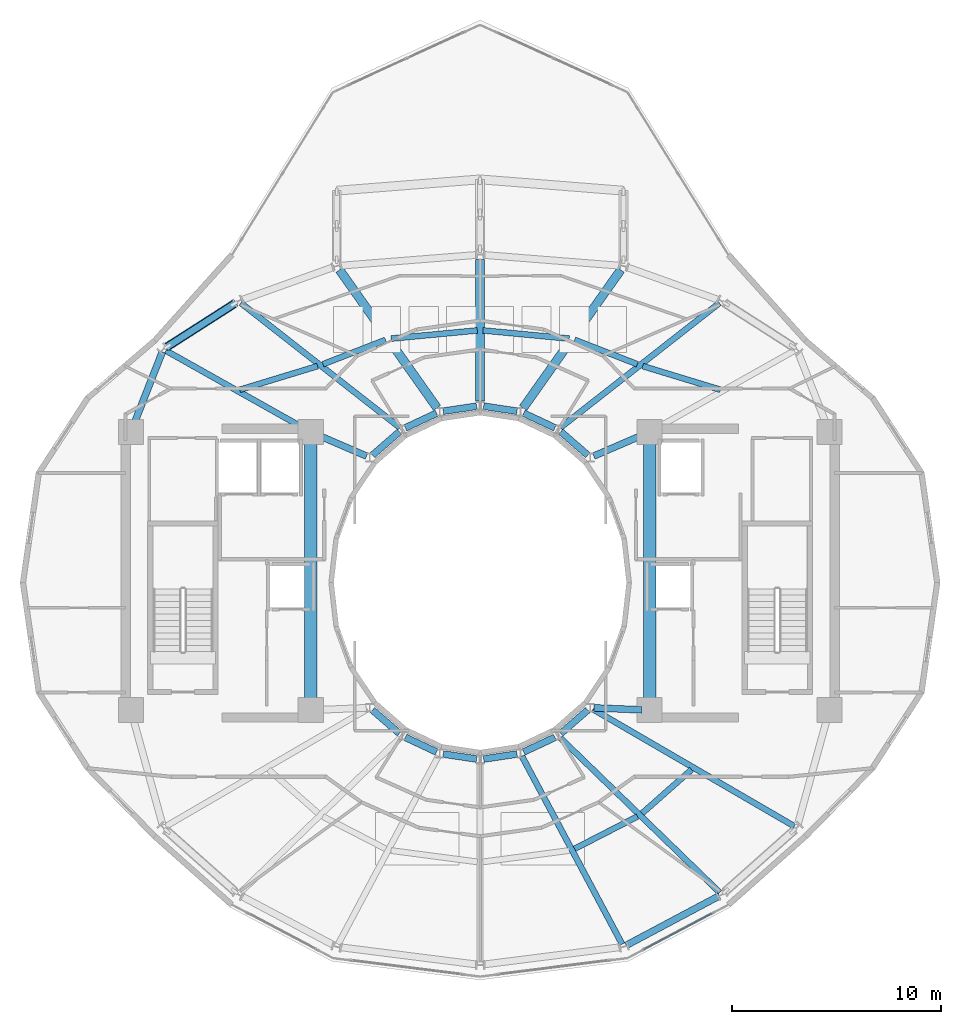
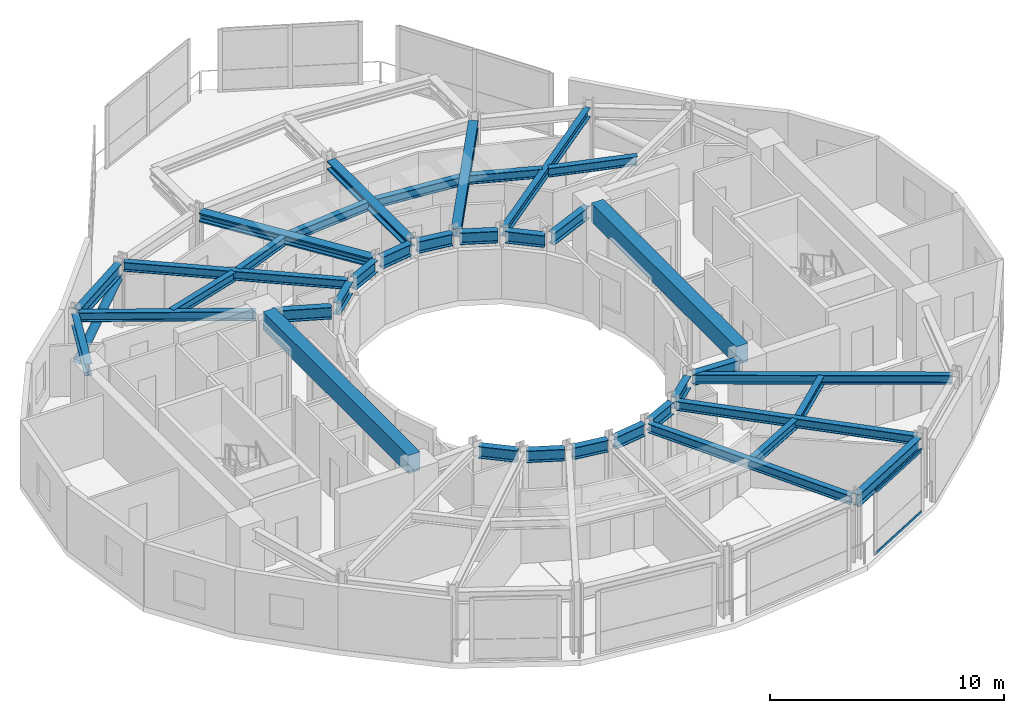
# One storey, part 5 of 19: 37 beams, 3 members, 1 element without a shape of its own.
"""IFC4 building model written with IfcOpenShell, lengths in metres."""

import ifcopenshell
import ifcopenshell.guid

model = None  # the IFC model being written
_history = None  # IfcOwnerHistory: only IFC2X3 demands one
_inside = {}  # id of a spatial element -> (the spatial element, [elements in it])
_under = {}  # id of a project, library or spatial element -> (it, [spatial elements below it])
_declared = {}  # id of a project -> (the project, [libraries it declares])
_typed = {}  # id of a type object -> (the type object, [elements of that type])
_made_of = {}  # id of a material, layer set ... -> (it, [elements and type objects made of it])


def new_model(schema):
    """Start an empty IFC model of exactly this schema.

    Asked for "IFC4X3", IfcOpenShell would pick the latest addendum, in which some entities
    have other attributes; the version numbers below select the first issue.
    IFC2X3 requires an IfcOwnerHistory on every rooted entity: one is made here for all.
    """
    global model, _history
    if schema == "IFC4X3":
        model = ifcopenshell.file(schema_version=(4, 3, 0, 0))
    else:
        model = ifcopenshell.file(schema=schema)
    _inside.clear()
    _under.clear()
    _declared.clear()
    _typed.clear()
    _made_of.clear()
    _history = None
    if model.schema == "IFC2X3":
        org = make("IfcOrganization", Name="unknown")
        user = make(
            "IfcPersonAndOrganization",
            ThePerson=make("IfcPerson", FamilyName="unknown"),
            TheOrganization=org,
        )
        app = make(
            "IfcApplication",
            ApplicationDeveloper=org,
            Version="unknown",
            ApplicationFullName="unknown",
            ApplicationIdentifier="unknown",
        )
        _history = make(
            "IfcOwnerHistory",
            OwningUser=user,
            OwningApplication=app,
            ChangeAction="ADDED",
            CreationDate=0,
        )
    return model


def make(cls, **values):
    """One entity of the class cls with the attributes given. An attribute that is None is left unset."""
    return model.create_entity(
        cls, **{name: value for name, value in values.items() if value is not None}
    )


def rooted(cls, **values):
    """An entity with a GlobalId (a new one), such as an element, a storey or a relation."""
    return make(cls, GlobalId=ifcopenshell.guid.new(), OwnerHistory=_history, **values)


def si_unit(unit_type, name, prefix=None):
    """IfcSIUnit, for example si_unit("LENGTHUNIT", "METRE", prefix="MILLI")."""
    return make("IfcSIUnit", UnitType=unit_type, Prefix=prefix, Name=name)


def assignment(units):
    """IfcUnitAssignment: the units of a project."""
    return None if units is None else make("IfcUnitAssignment", Units=units)


def point(xyz):
    """IfcCartesianPoint."""
    return None if xyz is None else make("IfcCartesianPoint", Coordinates=xyz)


def direction(xyz):
    """IfcDirection."""
    return None if xyz is None else make("IfcDirection", DirectionRatios=xyz)


def frame(location, z_axis=None, x_axis=None):
    """IfcAxis2Placement3D, a coordinate frame: its origin and axes. An axis left out is left unset."""
    return make(
        "IfcAxis2Placement3D",
        Location=point(location),
        Axis=direction(z_axis),
        RefDirection=direction(x_axis),
    )


def frame_2d(location, x_axis=None):
    """IfcAxis2Placement2D, a coordinate frame in the plane: its origin and x axis."""
    return make(
        "IfcAxis2Placement2D", Location=point(location), RefDirection=direction(x_axis)
    )


def origin():
    """The frame at (0, 0, 0) with its axes left unset."""
    return frame((0.0, 0.0, 0.0))


def origin_2d():
    """The frame at (0, 0) in the plane with its x axis left unset."""
    return frame_2d((0.0, 0.0))


def place(relative_to, where):
    """IfcLocalPlacement: puts the frame where relative to a parent placement (None: the world)."""
    return make(
        "IfcLocalPlacement", PlacementRelTo=relative_to, RelativePlacement=where
    )


def context(
    kind, dimensions, precision=None, world=None, true_north=None, identifier=None
):
    """IfcGeometricRepresentationContext, for example the 3D "Model" context."""
    return make(
        "IfcGeometricRepresentationContext",
        ContextIdentifier=identifier,
        ContextType=kind,
        CoordinateSpaceDimension=dimensions,
        Precision=precision,
        WorldCoordinateSystem=world,
        TrueNorth=true_north,
    )


def subcontext(parent, identifier, kind, view, scale=None):
    """IfcGeometricRepresentationSubContext, for example "Body" below "Model"."""
    return make(
        "IfcGeometricRepresentationSubContext",
        ContextIdentifier=identifier,
        ContextType=kind,
        ParentContext=parent,
        TargetScale=scale,
        TargetView=view,
    )


def project(units=None, contexts=None):
    """IfcProject with its units and contexts."""
    return rooted(
        "IfcProject",
        Name="project",
        RepresentationContexts=contexts,
        UnitsInContext=assignment(units),
    )


def spatial(cls, under=None, at=None, **own):
    """A site, building, storey or space (cls), placed at a placement, below another one or the project."""
    s = rooted(cls, ObjectPlacement=at, **own)
    if under is not None:
        _under.setdefault(under.id(), (under, []))[1].append(s)
    return s


def profile(cls, at=None, kind="AREA", **sizes):
    """A parametric profile (cls). Its sizes go by their IFC names, for example OverallWidth=200.0."""
    return make(cls, ProfileType=kind, Position=at, **sizes)


def rectangle(**sizes):
    """IfcRectangleProfileDef."""
    return profile("IfcRectangleProfileDef", **sizes)


def hollow_rectangle(**sizes):
    """IfcRectangleHollowProfileDef."""
    return profile("IfcRectangleHollowProfileDef", **sizes)


def hollow_circle(**sizes):
    """IfcCircleHollowProfileDef."""
    return profile("IfcCircleHollowProfileDef", **sizes)


def i_section(**sizes):
    """IfcIShapeProfileDef."""
    return profile("IfcIShapeProfileDef", **sizes)


def extrude(swept, where, along, depth):
    """IfcExtrudedAreaSolid: the profile swept, set in the frame where, extruded along a direction by depth."""
    return make(
        "IfcExtrudedAreaSolid",
        SweptArea=swept,
        Position=where,
        ExtrudedDirection=direction(along),
        Depth=depth,
    )


def shape(context_of_items, identifier, shape_type, items):
    """IfcShapeRepresentation: the items that make up one representation, for example the "Body"."""
    return make(
        "IfcShapeRepresentation",
        ContextOfItems=context_of_items,
        RepresentationIdentifier=identifier,
        RepresentationType=shape_type,
        Items=items,
    )


def material(Name=None, Category=None):
    """IfcMaterial."""
    return make("IfcMaterial", Name=Name, Category=Category)


def layer(
    of_material, thickness, ventilated=None, Name=None, Category=None, Priority=None
):
    """IfcMaterialLayer: one layer of a wall or slab, of a material (None: an air gap)."""
    return make(
        "IfcMaterialLayer",
        Material=of_material,
        LayerThickness=thickness,
        IsVentilated=ventilated,
        Name=Name,
        Category=Category,
        Priority=Priority,
    )


def layer_set(layers, Name=None):
    """IfcMaterialLayerSet."""
    return make("IfcMaterialLayerSet", MaterialLayers=layers, LayerSetName=Name)


def material_profile(
    of_material, cross_section, Name=None, Category=None, Priority=None
):
    """IfcMaterialProfile: a cross section and its material."""
    return make(
        "IfcMaterialProfile",
        Name=Name,
        Material=of_material,
        Profile=cross_section,
        Priority=Priority,
        Category=Category,
    )


def profile_set(profiles, Name=None, composite=None):
    """IfcMaterialProfileSet."""
    return make(
        "IfcMaterialProfileSet",
        Name=Name,
        MaterialProfiles=profiles,
        CompositeProfile=composite,
    )


def made_of(thing, what):
    """Note that an element or type object is made of a material, layer set ...; save() writes the relation."""
    if what is not None:
        _made_of.setdefault(what.id(), (what, []))[1].append(thing)
    return thing


def type_object(cls, material=None, **own):
    """A type object (cls), such as IfcWallType, which elements share."""
    return made_of(rooted(cls, **own), material)


def element(
    cls,
    number,
    at=None,
    inside=None,
    cuts=None,
    type_object=None,
    material=None,
    context=None,
    identifier="Body",
    shape_type=None,
    held_by="IfcProductDefinitionShape",
    body=None,
    shapes=None,
    **own,
):
    """One element of the class cls, such as IfcWall. Its Tag is "e" and its number.

    at: its placement. inside: the storey or other place that contains it. cuts: it is an
    opening in that element (IfcRelVoidsElement). A single representation is given by context,
    identifier, shape_type and body (its items); several are given by shapes. held_by: the class
    of the entity that holds the representations. save() writes the other relations.
    """
    e = rooted(cls, Tag="e%d" % number, ObjectPlacement=at, **own)
    if body is not None:
        shapes = [shape(context, identifier, shape_type, body)]
    if shapes is not None:
        e.Representation = make(held_by, Representations=shapes)
    if inside is not None:
        _inside.setdefault(inside.id(), (inside, []))[1].append(e)
    if cuts is not None:
        rooted(
            "IfcRelVoidsElement", RelatingBuildingElement=cuts, RelatedOpeningElement=e
        )
    if type_object is not None:
        _typed.setdefault(type_object.id(), (type_object, []))[1].append(e)
    return made_of(e, material)


def aggregate(whole, parts):
    """IfcRelAggregates: a whole, such as a stair, and the parts it consists of."""
    return rooted("IfcRelAggregates", RelatingObject=whole, RelatedObjects=parts)


def save(model, path):
    """Write the relations noted so far, then the file.

    IfcRelAggregates (storeys below a building ...), IfcRelContainedInSpatialStructure (elements
    in a storey), IfcRelDefinesByType, IfcRelAssociatesMaterial and IfcRelDeclares: one each for
    every whole, place, type object, material and project.
    """
    for whole, parts in _under.values():
        aggregate(whole, parts)
    for where, things in _inside.values():
        rooted(
            "IfcRelContainedInSpatialStructure",
            RelatedElements=things,
            RelatingStructure=where,
        )
    for kind, things in _typed.values():
        rooted("IfcRelDefinesByType", RelatedObjects=things, RelatingType=kind)
    for what, things in _made_of.values():
        rooted("IfcRelAssociatesMaterial", RelatedObjects=things, RelatingMaterial=what)
    for by, libraries in _declared.values():
        rooted("IfcRelDeclares", RelatingContext=by, RelatedDefinitions=libraries)
    model.write(path)


model = new_model("IFC4")

# Units and contexts
model_context = context("Model", 3, precision=1e-05, world=origin(), true_north=direction((0.0, 1.0)))
body_context = subcontext(model_context, "Body", "Model", "MODEL_VIEW")
ifc_project = project(units=[si_unit("LENGTHUNIT", "METRE"), si_unit("AREAUNIT", "SQUARE_METRE"), si_unit("VOLUMEUNIT", "CUBIC_METRE"), si_unit("PLANEANGLEUNIT", "RADIAN"), si_unit("MASSUNIT", "GRAM", prefix="KILO")], contexts=[model_context])

# Site, building, storey
site_placement = place(None, origin())
site = spatial("IfcSite", under=ifc_project, at=site_placement, CompositionType="ELEMENT")
building_placement = place(site_placement, origin())
building = spatial("IfcBuilding", under=site, at=building_placement, Name="Solvane Sanctuary Tower", CompositionType="ELEMENT")
storey_placement = place(building_placement, frame((0.0, 0.0, 242.39990234375)))
storey = spatial("IfcBuildingStorey", under=building, at=storey_placement, Name="L74", CompositionType="ELEMENT", Elevation=242.39990234375)

# Beams
ifc_material_1 = material(Name="Steel ASTM A913 Grade 65", Category="steel")
ifc_material_profile_1 = material_profile(ifc_material_1, i_section(OverallWidth=0.422119140625, OverallDepth=0.465087890625, WebThickness=0.044921875, FlangeThickness=0.072509765625, FilletRadius=0.02490234375, at=origin_2d()), Name="W14X398")
ifc_profile_set_1 = profile_set([ifc_material_profile_1], Name="Steel ASTM A913 Grade 65")
beam_type_1 = type_object("IfcBeamType", Name="Beam B-CANT-CH W14X398", PredefinedType="BEAM", material=ifc_profile_set_1)
beam_1_placement = place(storey_placement, frame((29.942138671875, 31.351318359375, 3.085693359375), z_axis=(-0.577262901024, 0.816558352539, 0.0), x_axis=(-0.816558352539, -0.577262901024, 0.0)))
element("IfcBeam", 1, at=beam_1_placement, inside=storey, type_object=beam_type_1, Name="L74 Sky-Dining Truss Backspan Chord C05", PredefinedType="BEAM", context=body_context, shape_type="SweptSolid", body=[
    extrude(i_section(OverallWidth=0.422119140625, OverallDepth=0.465087890625, WebThickness=0.044921875, FlangeThickness=0.072509765625, FilletRadius=0.02490234375, at=origin_2d()), origin(), (0.0, 0.0, 1.0), 8.08349609375),
])
beam_2_placement = place(storey_placement, frame((32.0, 31.679931640625, 3.085693359375), z_axis=(0.0, 1.0, 0.0), x_axis=(-1.0, 0.0, 0.0)))
element("IfcBeam", 2, at=beam_2_placement, inside=storey, type_object=beam_type_1, Name="L74 Sky-Dining Truss Backspan Chord C04", PredefinedType="BEAM", context=body_context, shape_type="SweptSolid", body=[
    extrude(i_section(OverallWidth=0.422119140625, OverallDepth=0.465087890625, WebThickness=0.044921875, FlangeThickness=0.072509765625, FilletRadius=0.02490234375, at=origin_2d()), origin(), (0.0, 0.0, 1.0), 6.779052734375),
])
beam_3_placement = place(storey_placement, frame((34.057861328125, 31.351318359375, 3.085693359375), z_axis=(0.577262901024, 0.816558352539, 0.0), x_axis=(-0.816558352539, 0.577262901024, 0.0)))
element("IfcBeam", 3, at=beam_3_placement, inside=storey, type_object=beam_type_1, Name="L74 Sky-Dining Truss Backspan Chord C03", PredefinedType="BEAM", context=body_context, shape_type="SweptSolid", body=[
    extrude(i_section(OverallWidth=0.422119140625, OverallDepth=0.465087890625, WebThickness=0.044921875, FlangeThickness=0.072509765625, FilletRadius=0.02490234375, at=origin_2d()), origin(), (0.0, 0.0, 1.0), 8.08349609375),
])
ifc_material_2 = material(Name="Concrete C70/85", Category="concrete")
ifc_material_profile_2 = material_profile(ifc_material_2, rectangle(XDim=0.60009765625, YDim=0.949951171875, at=origin_2d()), Name="RC600X950")
ifc_profile_set_2 = profile_set([ifc_material_profile_2], Name="Concrete C70/85")
beam_type_2 = type_object("IfcBeamType", Name="Beam B-COUPLE RC600X950", PredefinedType="LINTEL", material=ifc_profile_set_2)
for number, where, z_axis, x_axis, name in (
    (4, (23.89990234375, 17.35009765625, 3.125), (0.0, 1.0, 0.0), (-1.0, 0.0, 0.0), "L74 West Core Coupling Lintel"),
    (5, (40.10009765625, 17.35009765625, 3.125), (0.0, 1.0, 0.0), (-1.0, 0.0, 0.0), "L74 East Core Coupling Lintel"),
):
    element("IfcBeam", number, at=place(storey_placement, frame(where, z_axis=z_axis, x_axis=x_axis)), inside=storey, type_object=beam_type_2, Name=name, PredefinedType="LINTEL", context=body_context, shape_type="SweptSolid", body=[
        extrude(rectangle(XDim=0.60009765625, YDim=0.949951171875, at=origin_2d()), origin(), (0.0, 0.0, 1.0), 12.39990234375),
    ])
ifc_material_3 = material(Name="Steel ASTM A992 Grade 50", Category="steel")
ifc_material_profile_3 = material_profile(ifc_material_3, i_section(OverallWidth=0.282958984375, OverallDepth=0.471923828125, WebThickness=0.013671875, FlangeThickness=0.022216796875, FilletRadius=0.013916015625, at=origin_2d()), Name="W18X97")
ifc_profile_set_3 = profile_set([ifc_material_profile_3], Name="Steel ASTM A992 Grade 50")
beam_type_3 = type_object("IfcBeamType", Name="Beam B-RAD-Z4 W18X97", PredefinedType="JOIST", material=ifc_profile_set_3)
for number, where, z_axis, x_axis, name in (
    (6, (35.840087890625, 30.412841796875, 3.08203125), (0.787179592087, 0.616723835927, 0.0), (-0.616723835927, 0.787179592087, 0.0), "L74 Radial Composite Floor Beam 02"),
    (7, (28.159912109375, 30.412841796875, 3.08203125), (-0.787179592087, 0.616723835927, 0.0), (-0.616723835927, -0.787179592087, 0.0), "L74 Radial Composite Floor Beam 06"),
):
    element("IfcBeam", number, at=place(storey_placement, frame(where, z_axis=z_axis, x_axis=x_axis)), inside=storey, type_object=beam_type_3, Name=name, PredefinedType="JOIST", context=body_context, shape_type="SweptSolid", body=[
        extrude(i_section(OverallWidth=0.282958984375, OverallDepth=0.471923828125, WebThickness=0.013671875, FlangeThickness=0.022216796875, FilletRadius=0.013916015625, at=origin_2d()), origin(), (0.0, 0.0, 1.0), 9.66064453125),
    ])
beam_4_placement = place(storey_placement, frame((23.586181640625, 30.37646484375, 3.08203125), z_axis=(-0.87176037811, 0.489932488367, 0.0), x_axis=(-0.489932488367, -0.87176037811, 0.0)))
element("IfcBeam", 8, at=beam_4_placement, inside=storey, type_object=beam_type_3, Name="L74 Radial Composite Floor Beam 07", PredefinedType="JOIST", context=body_context, shape_type="SweptSolid", body=[
    extrude(i_section(OverallWidth=0.282958984375, OverallDepth=0.471923828125, WebThickness=0.013671875, FlangeThickness=0.022216796875, FilletRadius=0.013916015625, at=origin_2d()), origin(), (0.0, 0.0, 1.0), 7.581298828125),
])
beam_5_placement = place(storey_placement, frame((33.99658203125, 14.704833984375, 3.08203125), z_axis=(0.470405435304, -0.882450410185, 0.0), x_axis=(0.882450410185, 0.470405435304, 0.0)))
element("IfcBeam", 9, at=beam_5_placement, inside=storey, type_object=beam_type_3, Name="L74 Radial Composite Floor Beam 12", PredefinedType="JOIST", context=body_context, shape_type="SweptSolid", body=[
    extrude(i_section(OverallWidth=0.282958984375, OverallDepth=0.471923828125, WebThickness=0.013671875, FlangeThickness=0.022216796875, FilletRadius=0.013916015625, at=origin_2d()), origin(), (0.0, 0.0, 1.0), 10.190673828125),
])
beam_6_placement = place(storey_placement, frame((35.83056640625, 15.575927734375, 3.08203125), z_axis=(0.71793137972, -0.696113880061, 0.0), x_axis=(0.696113880061, 0.71793137972, 0.0)))
element("IfcBeam", 10, at=beam_6_placement, inside=storey, type_object=beam_type_3, Name="L74 Radial Composite Floor Beam 13", PredefinedType="JOIST", context=body_context, shape_type="SweptSolid", body=[
    extrude(i_section(OverallWidth=0.282958984375, OverallDepth=0.471923828125, WebThickness=0.013671875, FlangeThickness=0.022216796875, FilletRadius=0.013916015625, at=origin_2d()), origin(), (0.0, 0.0, 1.0), 10.619384765625),
])
beam_7_placement = place(storey_placement, frame((37.39599609375, 16.947509765625, 3.08203125), z_axis=(0.864496775109, -0.502638364857, 0.0), x_axis=(0.502638364857, 0.864496775109, 0.0)))
element("IfcBeam", 11, at=beam_7_placement, inside=storey, type_object=beam_type_3, Name="L74 Radial Composite Floor Beam 14", PredefinedType="JOIST", context=body_context, shape_type="SweptSolid", body=[
    extrude(i_section(OverallWidth=0.282958984375, OverallDepth=0.471923828125, WebThickness=0.013671875, FlangeThickness=0.022216796875, FilletRadius=0.013916015625, at=origin_2d()), origin(), (0.0, 0.0, 1.0), 11.136962890625),
])
ifc_material_profile_4 = material_profile(ifc_material_3, i_section(OverallWidth=0.324951171875, OverallDepth=0.615966796875, WebThickness=0.013916015625, FlangeThickness=0.021484375, FilletRadius=0.01611328125, at=origin_2d()), Name="W24X117")
ifc_profile_set_4 = profile_set([ifc_material_profile_4], Name="Steel ASTM A992 Grade 50")
beam_type_4 = type_object("IfcBeamType", Name="Beam B-RING-IN2 W24X117", PredefinedType="BEAM", material=ifc_profile_set_4)
beam_8_placement = place(storey_placement, frame((24.230712890625, 30.0576171875, 3.010009765625), z_axis=(0.918254967668, -0.395989664453, 0.0), x_axis=(0.395989664453, 0.918254967668, 0.0)))
element("IfcBeam", 12, at=beam_8_placement, inside=storey, type_object=beam_type_4, Name="L74 Inner Light-Well Ring Beam CW3-IC07", PredefinedType="BEAM", context=body_context, shape_type="SweptSolid", body=[
    extrude(i_section(OverallWidth=0.324951171875, OverallDepth=0.615966796875, WebThickness=0.013916015625, FlangeThickness=0.021484375, FilletRadius=0.01611328125, at=origin_2d()), origin(), (0.0, 0.0, 1.0), 2.54638671875),
])
beam_9_placement = place(storey_placement, frame((26.853271484375, 29.09375, 3.010009765625), z_axis=(0.754362388825, 0.656458213694, 0.0), x_axis=(-0.656458213694, 0.754362388825, 0.0)))
element("IfcBeam", 13, at=beam_9_placement, inside=storey, type_object=beam_type_4, Name="L74 Inner Light-Well Ring Beam IC07-IC06", PredefinedType="BEAM", context=body_context, shape_type="SweptSolid", body=[
    extrude(i_section(OverallWidth=0.324951171875, OverallDepth=0.615966796875, WebThickness=0.013916015625, FlangeThickness=0.021484375, FilletRadius=0.01611328125, at=origin_2d()), origin(), (0.0, 0.0, 1.0), 1.708251953125),
])
beam_10_placement = place(storey_placement, frame((28.423828125, 30.39892578125, 3.010009765625), z_axis=(0.905150857291, 0.425090491008, 0.0), x_axis=(-0.425090491008, 0.905150857291, 0.0)))
element("IfcBeam", 14, at=beam_10_placement, inside=storey, type_object=beam_type_4, Name="L74 Inner Light-Well Ring Beam IC06-IC05", PredefinedType="BEAM", context=body_context, shape_type="SweptSolid", body=[
    extrude(i_section(OverallWidth=0.324951171875, OverallDepth=0.615966796875, WebThickness=0.013916015625, FlangeThickness=0.021484375, FilletRadius=0.01611328125, at=origin_2d()), origin(), (0.0, 0.0, 1.0), 1.647705078125),
])
for number, where, z_axis, x_axis, name in (
    (15, (30.2373046875, 31.19677734375, 3.010009765625), (0.989039416515, 0.147651727316, 0.0), (-0.147651727316, 0.989039416515, 0.0), "L74 Inner Light-Well Ring Beam IC05-IC04"),
    (16, (32.168212890625, 31.434814453125, 3.010009765625), (0.989039416515, -0.147651727316, 0.0), (0.147651727316, 0.989039416515, 0.0), "L74 Inner Light-Well Ring Beam IC04-IC03"),
):
    element("IfcBeam", number, at=place(storey_placement, frame(where, z_axis=z_axis, x_axis=x_axis)), inside=storey, type_object=beam_type_4, Name=name, PredefinedType="BEAM", context=body_context, shape_type="SweptSolid", body=[
        extrude(i_section(OverallWidth=0.324951171875, OverallDepth=0.615966796875, WebThickness=0.013916015625, FlangeThickness=0.021484375, FilletRadius=0.01611328125, at=origin_2d()), origin(), (0.0, 0.0, 1.0), 1.612060546875),
    ])
beam_11_placement = place(storey_placement, frame((34.084716796875, 31.099365234375, 3.010009765625), z_axis=(0.905150857291, -0.425090491008, 0.0), x_axis=(0.425090491008, 0.905150857291, 0.0)))
element("IfcBeam", 17, at=beam_11_placement, inside=storey, type_object=beam_type_4, Name="L74 Inner Light-Well Ring Beam IC03-IC02", PredefinedType="BEAM", context=body_context, shape_type="SweptSolid", body=[
    extrude(i_section(OverallWidth=0.324951171875, OverallDepth=0.615966796875, WebThickness=0.013916015625, FlangeThickness=0.021484375, FilletRadius=0.01611328125, at=origin_2d()), origin(), (0.0, 0.0, 1.0), 1.647705078125),
])
beam_12_placement = place(storey_placement, frame((35.858154296875, 30.215087890625, 3.010009765625), z_axis=(0.754362388825, -0.656458213694, 0.0), x_axis=(0.656458213694, 0.754362388825, 0.0)))
element("IfcBeam", 18, at=beam_12_placement, inside=storey, type_object=beam_type_4, Name="L74 Inner Light-Well Ring Beam IC02-IC01", PredefinedType="BEAM", context=body_context, shape_type="SweptSolid", body=[
    extrude(i_section(OverallWidth=0.324951171875, OverallDepth=0.615966796875, WebThickness=0.013916015625, FlangeThickness=0.021484375, FilletRadius=0.01611328125, at=origin_2d()), origin(), (0.0, 0.0, 1.0), 1.708251953125),
])
beam_13_placement = place(storey_placement, frame((37.43115234375, 29.04931640625, 3.010009765625), z_axis=(0.918254967668, 0.395989664453, 0.0), x_axis=(-0.395989664453, 0.918254967668, 0.0)))
element("IfcBeam", 19, at=beam_13_placement, inside=storey, type_object=beam_type_4, Name="L74 Inner Light-Well Ring Beam IC01-CE4", PredefinedType="BEAM", context=body_context, shape_type="SweptSolid", body=[
    extrude(i_section(OverallWidth=0.324951171875, OverallDepth=0.615966796875, WebThickness=0.013916015625, FlangeThickness=0.021484375, FilletRadius=0.01611328125, at=origin_2d()), origin(), (0.0, 0.0, 1.0), 2.54638671875),
])
beam_14_placement = place(storey_placement, frame((26.853271484375, 16.90625, 3.010009765625), z_axis=(0.754362388825, -0.656458213694, 0.0), x_axis=(0.656458213694, 0.754362388825, 0.0)))
element("IfcBeam", 20, at=beam_14_placement, inside=storey, type_object=beam_type_4, Name="L74 Inner Light-Well Ring Beam IC08-IC09", PredefinedType="BEAM", context=body_context, shape_type="SweptSolid", body=[
    extrude(i_section(OverallWidth=0.324951171875, OverallDepth=0.615966796875, WebThickness=0.013916015625, FlangeThickness=0.021484375, FilletRadius=0.01611328125, at=origin_2d()), origin(), (0.0, 0.0, 1.0), 1.708251953125),
])
beam_15_placement = place(storey_placement, frame((28.423828125, 15.60107421875, 3.010009765625), z_axis=(0.905150857291, -0.425090491008, 0.0), x_axis=(0.425090491008, 0.905150857291, 0.0)))
element("IfcBeam", 21, at=beam_15_placement, inside=storey, type_object=beam_type_4, Name="L74 Inner Light-Well Ring Beam IC09-IC10", PredefinedType="BEAM", context=body_context, shape_type="SweptSolid", body=[
    extrude(i_section(OverallWidth=0.324951171875, OverallDepth=0.615966796875, WebThickness=0.013916015625, FlangeThickness=0.021484375, FilletRadius=0.01611328125, at=origin_2d()), origin(), (0.0, 0.0, 1.0), 1.647705078125),
])
for number, where, z_axis, x_axis, name in (
    (22, (30.2373046875, 14.80322265625, 3.010009765625), (0.989039416515, -0.147651727316, 0.0), (0.147651727316, 0.989039416515, 0.0), "L74 Inner Light-Well Ring Beam IC10-IC11"),
    (23, (32.168212890625, 14.565185546875, 3.010009765625), (0.989039416515, 0.147651727316, 0.0), (-0.147651727316, 0.989039416515, 0.0), "L74 Inner Light-Well Ring Beam IC11-IC12"),
):
    element("IfcBeam", number, at=place(storey_placement, frame(where, z_axis=z_axis, x_axis=x_axis)), inside=storey, type_object=beam_type_4, Name=name, PredefinedType="BEAM", context=body_context, shape_type="SweptSolid", body=[
        extrude(i_section(OverallWidth=0.324951171875, OverallDepth=0.615966796875, WebThickness=0.013916015625, FlangeThickness=0.021484375, FilletRadius=0.01611328125, at=origin_2d()), origin(), (0.0, 0.0, 1.0), 1.612060546875),
    ])
beam_16_placement = place(storey_placement, frame((34.084716796875, 14.900634765625, 3.010009765625), z_axis=(0.905150857291, 0.425090491008, 0.0), x_axis=(-0.425090491008, 0.905150857291, 0.0)))
element("IfcBeam", 24, at=beam_16_placement, inside=storey, type_object=beam_type_4, Name="L74 Inner Light-Well Ring Beam IC12-IC13", PredefinedType="BEAM", context=body_context, shape_type="SweptSolid", body=[
    extrude(i_section(OverallWidth=0.324951171875, OverallDepth=0.615966796875, WebThickness=0.013916015625, FlangeThickness=0.021484375, FilletRadius=0.01611328125, at=origin_2d()), origin(), (0.0, 0.0, 1.0), 1.647705078125),
])
beam_17_placement = place(storey_placement, frame((35.858154296875, 15.784912109375, 3.010009765625), z_axis=(0.754362388825, 0.656458213694, 0.0), x_axis=(-0.656458213694, 0.754362388825, 0.0)))
element("IfcBeam", 25, at=beam_17_placement, inside=storey, type_object=beam_type_4, Name="L74 Inner Light-Well Ring Beam IC13-IC14", PredefinedType="BEAM", context=body_context, shape_type="SweptSolid", body=[
    extrude(i_section(OverallWidth=0.324951171875, OverallDepth=0.615966796875, WebThickness=0.013916015625, FlangeThickness=0.021484375, FilletRadius=0.01611328125, at=origin_2d()), origin(), (0.0, 0.0, 1.0), 1.708251953125),
])
beam_18_placement = place(storey_placement, frame((37.44482421875, 17.0107421875, 3.010009765625), z_axis=(0.9991319677, -0.04165706566, 0.0), x_axis=(0.04165706566, 0.9991319677, 0.0)))
element("IfcBeam", 26, at=beam_18_placement, inside=storey, type_object=beam_type_4, Name="L74 Inner Light-Well Ring Beam IC14-CE1", PredefinedType="BEAM", context=body_context, shape_type="SweptSolid", body=[
    extrude(i_section(OverallWidth=0.324951171875, OverallDepth=0.615966796875, WebThickness=0.013916015625, FlangeThickness=0.021484375, FilletRadius=0.01611328125, at=origin_2d()), origin(), (0.0, 0.0, 1.0), 2.29736328125),
])
ifc_material_profile_5 = material_profile(ifc_material_3, i_section(OverallWidth=0.280029296875, OverallDepth=0.462890625, WebThickness=0.0107421875, FlangeThickness=0.017333984375, FilletRadius=0.013916015625, at=origin_2d()), Name="W18X76")
ifc_profile_set_5 = profile_set([ifc_material_profile_5], Name="Steel ASTM A992 Grade 50")
beam_type_5 = type_object("IfcBeamType", Name="Beam B-SEC-JOIST W18X76", PredefinedType="JOIST", material=ifc_profile_set_5)
beam_19_placement = place(storey_placement, frame((20.508056640625, 32.219482421875, 3.086669921875), z_axis=(0.95661833979, 0.291344044005, 0.0), x_axis=(-0.291344044005, 0.95661833979, 0.0)))
element("IfcBeam", 27, at=beam_19_placement, inside=storey, type_object=beam_type_5, Name="L74 Secondary Circumferential Joist 07-06", PredefinedType="JOIST", context=body_context, shape_type="SweptSolid", body=[
    extrude(i_section(OverallWidth=0.280029296875, OverallDepth=0.462890625, WebThickness=0.0107421875, FlangeThickness=0.017333984375, FilletRadius=0.013916015625, at=origin_2d()), origin(), (0.0, 0.0, 1.0), 3.887451171875),
])
beam_20_placement = place(storey_placement, frame((24.484619140625, 33.44140625, 3.086669921875), z_axis=(0.93205885038, 0.362306913306, 0.0), x_axis=(-0.362306913306, 0.93205885038, 0.0)))
element("IfcBeam", 28, at=beam_20_placement, inside=storey, type_object=beam_type_5, Name="L74 Secondary Circumferential Joist 06-05", PredefinedType="JOIST", context=body_context, shape_type="SweptSolid", body=[
    extrude(i_section(OverallWidth=0.280029296875, OverallDepth=0.462890625, WebThickness=0.0107421875, FlangeThickness=0.017333984375, FilletRadius=0.013916015625, at=origin_2d()), origin(), (0.0, 0.0, 1.0), 3.212890625),
])
for number, where, z_axis, x_axis, name in (
    (29, (27.742431640625, 34.667724609375, 3.086669921875), (0.995566487685, 0.094060451834, 0.0), (-0.094060451834, 0.995566487685, 0.0), "L74 Secondary Circumferential Joist 05-04"),
    (30, (32.135986328125, 35.05712890625, 3.086669921875), (0.995566487685, -0.094060451834, 0.0), (0.094060451834, 0.995566487685, 0.0), "L74 Secondary Circumferential Joist 04-03"),
):
    element("IfcBeam", number, at=place(storey_placement, frame(where, z_axis=z_axis, x_axis=x_axis)), inside=storey, type_object=beam_type_5, Name=name, PredefinedType="JOIST", context=body_context, shape_type="SweptSolid", body=[
        extrude(i_section(OverallWidth=0.280029296875, OverallDepth=0.462890625, WebThickness=0.0107421875, FlangeThickness=0.017333984375, FilletRadius=0.013916015625, at=origin_2d()), origin(), (0.0, 0.0, 1.0), 4.139892578125),
    ])
beam_21_placement = place(storey_placement, frame((36.520751953125, 34.60546875, 3.086669921875), z_axis=(0.93205885038, -0.362306913306, 0.0), x_axis=(0.362306913306, 0.93205885038, 0.0)))
element("IfcBeam", 31, at=beam_21_placement, inside=storey, type_object=beam_type_5, Name="L74 Secondary Circumferential Joist 03-02", PredefinedType="JOIST", context=body_context, shape_type="SweptSolid", body=[
    extrude(i_section(OverallWidth=0.280029296875, OverallDepth=0.462890625, WebThickness=0.0107421875, FlangeThickness=0.017333984375, FilletRadius=0.013916015625, at=origin_2d()), origin(), (0.0, 0.0, 1.0), 3.212890625),
])
beam_22_placement = place(storey_placement, frame((39.773193359375, 33.35205078125, 3.086669921875), z_axis=(0.95661833979, -0.291344044005, 0.0), x_axis=(0.291344044005, 0.95661833979, 0.0)))
element("IfcBeam", 32, at=beam_22_placement, inside=storey, type_object=beam_type_5, Name="L74 Secondary Circumferential Joist 02-01", PredefinedType="JOIST", context=body_context, shape_type="SweptSolid", body=[
    extrude(i_section(OverallWidth=0.280029296875, OverallDepth=0.462890625, WebThickness=0.0107421875, FlangeThickness=0.017333984375, FilletRadius=0.013916015625, at=origin_2d()), origin(), (0.0, 0.0, 1.0), 3.887451171875),
])
beam_23_placement = place(storey_placement, frame((36.514892578125, 10.27099609375, 3.086669921875), z_axis=(0.88924080122, 0.4574393921, 0.0), x_axis=(-0.4574393921, 0.88924080122, 0.0)))
element("IfcBeam", 33, at=beam_23_placement, inside=storey, type_object=beam_type_5, Name="L74 Secondary Circumferential Joist 12-13", PredefinedType="JOIST", context=body_context, shape_type="SweptSolid", body=[
    extrude(i_section(OverallWidth=0.280029296875, OverallDepth=0.462890625, WebThickness=0.0107421875, FlangeThickness=0.017333984375, FilletRadius=0.013916015625, at=origin_2d()), origin(), (0.0, 0.0, 1.0), 3.380615234375),
])
beam_24_placement = place(storey_placement, frame((39.744873046875, 11.97021484375, 3.086669921875), z_axis=(0.749354102876, 0.662169486236, 0.0), x_axis=(-0.662169486236, 0.749354102876, 0.0)))
element("IfcBeam", 34, at=beam_24_placement, inside=storey, type_object=beam_type_5, Name="L74 Secondary Circumferential Joist 13-14", PredefinedType="JOIST", context=body_context, shape_type="SweptSolid", body=[
    extrude(i_section(OverallWidth=0.280029296875, OverallDepth=0.462890625, WebThickness=0.0107421875, FlangeThickness=0.017333984375, FilletRadius=0.013916015625, at=origin_2d()), origin(), (0.0, 0.0, 1.0), 3.153076171875),
])
ifc_material_profile_6 = material_profile(ifc_material_3, i_section(OverallWidth=0.327880859375, OverallDepth=0.6279296875, WebThickness=0.0166015625, FlangeThickness=0.027587890625, FilletRadius=0.01611328125, at=origin_2d()), Name="W24X146")
ifc_profile_set_6 = profile_set([ifc_material_profile_6], Name="Steel ASTM A992 Grade 50")
beam_type_6 = type_object("IfcBeamType", Name="Beam B-SPAND-Z3 W24X146", PredefinedType="SPANDREL", material=ifc_profile_set_6)
beam_25_placement = place(storey_placement, frame((15.40234375, 30.460693359375, 3.004150390625), z_axis=(0.365597204344, 0.930773164727, 0.0), x_axis=(-0.930773164727, 0.365597204344, 0.0)))
element("IfcBeam", 35, at=beam_25_placement, inside=storey, type_object=beam_type_6, Name="L74 Perimeter Spandrel Beam CW4-TC07", PredefinedType="SPANDREL", context=body_context, shape_type="SweptSolid", body=[
    extrude(i_section(OverallWidth=0.327880859375, OverallDepth=0.6279296875, WebThickness=0.0166015625, FlangeThickness=0.027587890625, FilletRadius=0.01611328125, at=origin_2d()), origin(), (0.0, 0.0, 1.0), 3.833740234375),
])
beam_26_placement = place(storey_placement, frame((16.972900390625, 34.23486328125, 3.004150390625), z_axis=(0.842252471835, 0.539083271571, 0.0), x_axis=(-0.539083271571, 0.842252471835, 0.0)))
element("IfcBeam", 36, at=beam_26_placement, inside=storey, type_object=beam_type_6, Name="L74 Perimeter Spandrel Beam TC07-TC06", PredefinedType="SPANDREL", context=body_context, shape_type="SweptSolid", body=[
    extrude(i_section(OverallWidth=0.327880859375, OverallDepth=0.6279296875, WebThickness=0.0166015625, FlangeThickness=0.027587890625, FilletRadius=0.01611328125, at=origin_2d()), origin(), (0.0, 0.0, 1.0), 3.982177734375),
])
beam_27_placement = place(storey_placement, frame((38.979736328125, 5.654296875, 3.004150390625), z_axis=(0.883011615456, 0.469351133981, 0.0), x_axis=(-0.469351133981, 0.883011615456, 0.0)))
element("IfcBeam", 37, at=beam_27_placement, inside=storey, type_object=beam_type_6, Name="L74 Perimeter Spandrel Beam TC12-TC13", PredefinedType="SPANDREL", context=body_context, shape_type="SweptSolid", body=[
    extrude(i_section(OverallWidth=0.327880859375, OverallDepth=0.6279296875, WebThickness=0.0166015625, FlangeThickness=0.027587890625, FilletRadius=0.01611328125, at=origin_2d()), origin(), (0.0, 0.0, 1.0), 5.04150390625),
])

# Curtain wall, members
ifc_material_4 = material(Name="Anodised Aluminium 6063-T6", Category="aluminium")
ifc_layer = layer(ifc_material_4, 0.18994140625, Name="Anodised Aluminium 6063-T6")
ifc_layer_set = layer_set([ifc_layer], Name="Anodised Aluminium 6063-T6")
curtain_wall_type = type_object("IfcCurtainWallType", Name="Curtain Wall CW-OPER", PredefinedType="NOTDEFINED", material=ifc_layer_set)
curtain_wall_placement = place(storey_placement, origin())
curtain_wall = element("IfcCurtainWall", 38, at=curtain_wall_placement, inside=storey, type_object=curtain_wall_type, Name="L74 CW-OPER Facade Run 19", PredefinedType="NOTDEFINED")
ifc_material_profile_7 = material_profile(ifc_material_4, hollow_rectangle(XDim=0.06494140625, YDim=0.159912109375, WallThickness=0.00341796875, at=origin_2d()), Name="ALU160X65X3.5")
ifc_profile_set_7 = profile_set([ifc_material_profile_7], Name="Anodised Aluminium 6063-T6")
member_type_1 = type_object("IfcMemberType", Name="Member M-CW-TRN-1 ALU160X65X3.5", PredefinedType="USERDEFINED", material=ifc_profile_set_7)
member_1_placement = place(storey_placement, frame((39.834228515625, 5.466552734375, 0.03271484375), z_axis=(0.883977140568, 0.467530121975, 0.0), x_axis=(-0.467530121975, 0.883977140568, 0.0)))
member_1 = element("IfcMember", 39, at=member_1_placement, type_object=member_type_1, Name="CW-OPER transom 1.1", ObjectType="TRANSOM", PredefinedType="USERDEFINED", context=body_context, shape_type="SweptSolid", body=[
    extrude(hollow_rectangle(XDim=0.06494140625, YDim=0.159912109375, WallThickness=0.00341796875, at=origin_2d()), origin(), (0.0, 0.0, 1.0), 3.67041015625),
])
member_2_placement = place(storey_placement, frame((39.834228515625, 5.466552734375, 3.24755859375), z_axis=(0.883977140568, 0.467530121975, 0.0), x_axis=(-0.467530121975, 0.883977140568, 0.0)))
member_2 = element("IfcMember", 40, at=member_2_placement, type_object=member_type_1, Name="CW-OPER transom 1.2", ObjectType="TRANSOM", PredefinedType="USERDEFINED", context=body_context, shape_type="SweptSolid", body=[
    extrude(hollow_rectangle(XDim=0.06494140625, YDim=0.159912109375, WallThickness=0.00341796875, at=origin_2d()), origin(), (0.0, 0.0, 1.0), 3.67041015625),
])
aggregate(curtain_wall, [member_1, member_2])

# Member
ifc_material_profile_8 = material_profile(ifc_material_3, hollow_circle(Radius=0.202880859375, WallThickness=0.012451171875, at=origin_2d()), Name="CHS406X12.5")
ifc_profile_set_8 = profile_set([ifc_material_profile_8], Name="Steel ASTM A992 Grade 50")
member_type_2 = type_object("IfcMemberType", Name="Member M-TUBE-Z3 CHS406X12.5", PredefinedType="BRACE", material=ifc_profile_set_8)
member_3_placement = place(storey_placement, frame((17.06298828125, 34.29248046875, 0.513916015625), z_axis=(0.740496381553, 0.473965461824, 0.476468099567), x_axis=(-0.539092247698, 0.842246726602, 0.0)))
element("IfcMember", 41, at=member_3_placement, inside=storey, type_object=member_type_2, Name="L74 Perimeter Braced-Tube Diagonal NW", PredefinedType="BRACE", context=body_context, shape_type="SweptSolid", body=[
    extrude(hollow_circle(Radius=0.202880859375, WallThickness=0.012451171875, at=origin_2d()), origin(), (0.0, 0.0, 1.0), 4.292236328125),
])

save(model, "model.ifc")
